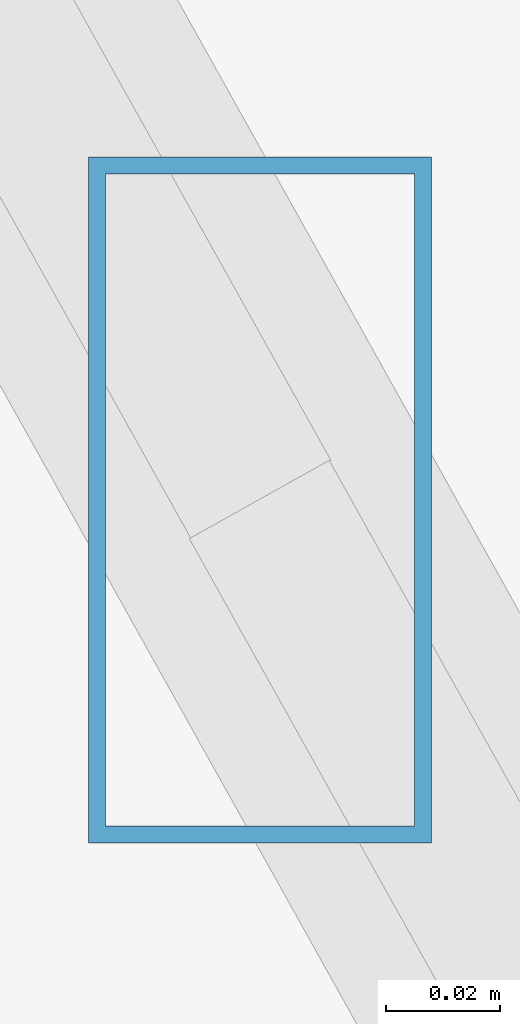
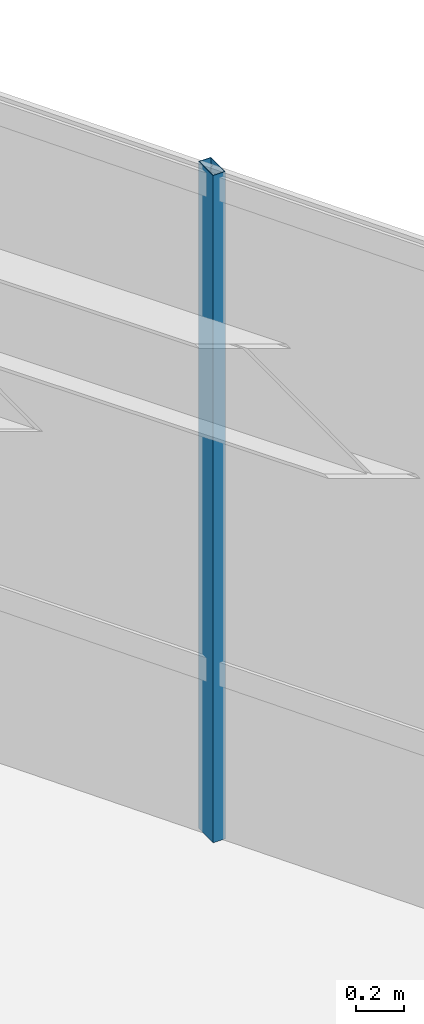
# One storey, part 38 of 48: 1 member, 1 element without a shape of its own.
"""IFC4 building model written with IfcOpenShell, lengths in metres."""

from ifc_helpers import new_model, si_unit, direction, frame, origin, origin_2d, place, context, subcontext, project, spatial, hollow_rectangle, extrude, source, transform, mapped, material, material_profile, profile_set, type_object, type_shapes, element, aggregate, save


model = new_model("IFC4")

# Units and contexts
model_context = context("Model", 3, precision=1e-05, world=origin(), true_north=direction((0.0, 1.0)))
body_context = subcontext(model_context, "Body", "Model", "MODEL_VIEW")
ifc_project = project(units=[si_unit("LENGTHUNIT", "METRE"), si_unit("AREAUNIT", "SQUARE_METRE"), si_unit("VOLUMEUNIT", "CUBIC_METRE"), si_unit("PLANEANGLEUNIT", "RADIAN"), si_unit("MASSUNIT", "GRAM", prefix="KILO")], contexts=[model_context])

# Site, building, storey
site_placement = place(None, origin())
site = spatial("IfcSite", under=ifc_project, at=site_placement, CompositionType="ELEMENT")
building_placement = place(site_placement, origin())
building = spatial("IfcBuilding", under=site, at=building_placement, Name="Caelisora Broadcast Tower", CompositionType="ELEMENT")
storey_placement = place(building_placement, frame((0.0, 0.0, 277.300048828125)))
storey = spatial("IfcBuildingStorey", under=building, at=storey_placement, Name="L73", CompositionType="ELEMENT", Elevation=277.300048828125)

# Curtain wall, member
ifc_material_1 = material(Name="Unitised Aluminium and Low-E Glass Curtain Wall", Category="glass")
curtain_wall_type = type_object("IfcCurtainWallType", Name="CW-Z5", PredefinedType="NOTDEFINED", material=ifc_material_1)
curtain_wall_placement = place(storey_placement, origin())
curtain_wall = element("IfcCurtainWall", 1, at=curtain_wall_placement, inside=storey, type_object=curtain_wall_type, Name="L73 curtain wall CW-Z5", PredefinedType="NOTDEFINED")
ifc_material_2 = material(Name="Aluminium 6063-T6 Anodised Terracotta Bronze", Category="aluminium")
ifc_material_profile = material_profile(ifc_material_2, hollow_rectangle(XDim=0.06005859375, YDim=0.1201171875, WallThickness=0.0029296875, at=origin_2d()), Name="Aluminium 6063-T6 Anodised Terracotta Bronze")
ifc_profile_set = profile_set([ifc_material_profile], Name="Aluminium 6063-T6 Anodised Terracotta Bronze")
member_type = type_object("IfcMemberType", Name="CWM-04", PredefinedType="MULLION", material=ifc_profile_set)
shared_shape = source(origin(), body_context, "Body", "SweptSolid", [
    extrude(hollow_rectangle(XDim=0.06005859375, YDim=0.1201171875, WallThickness=0.0029296875, at=origin_2d()), origin(), (0.0, 0.0, 1.0), 3.39990234375),
])
type_shapes(member_type, [shared_shape])
member_placement = place(storey_placement, frame((45.084716796875, 42.21142578125, 0.0), z_axis=(0.0, 0.0, 1.0), x_axis=(1.0, 0.0, 0.0)))
member = element("IfcMember", 2, at=member_placement, type_object=member_type, Name="L73-CW-B01 mullion #2", PredefinedType="MULLION", context=body_context, shape_type="MappedRepresentation", body=[
    mapped(shared_shape, transform((0.0, 0.0, 0.0), scale=1.0)),
])
aggregate(curtain_wall, [member])

save(model, "model.ifc")
